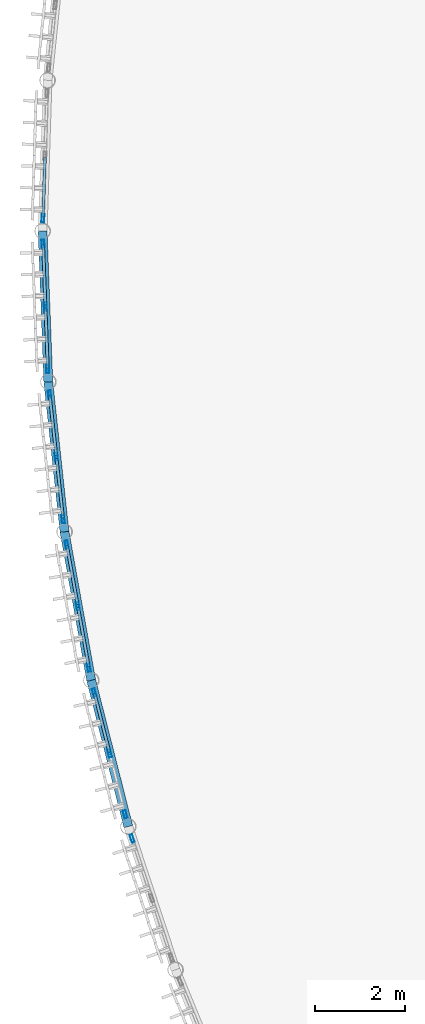
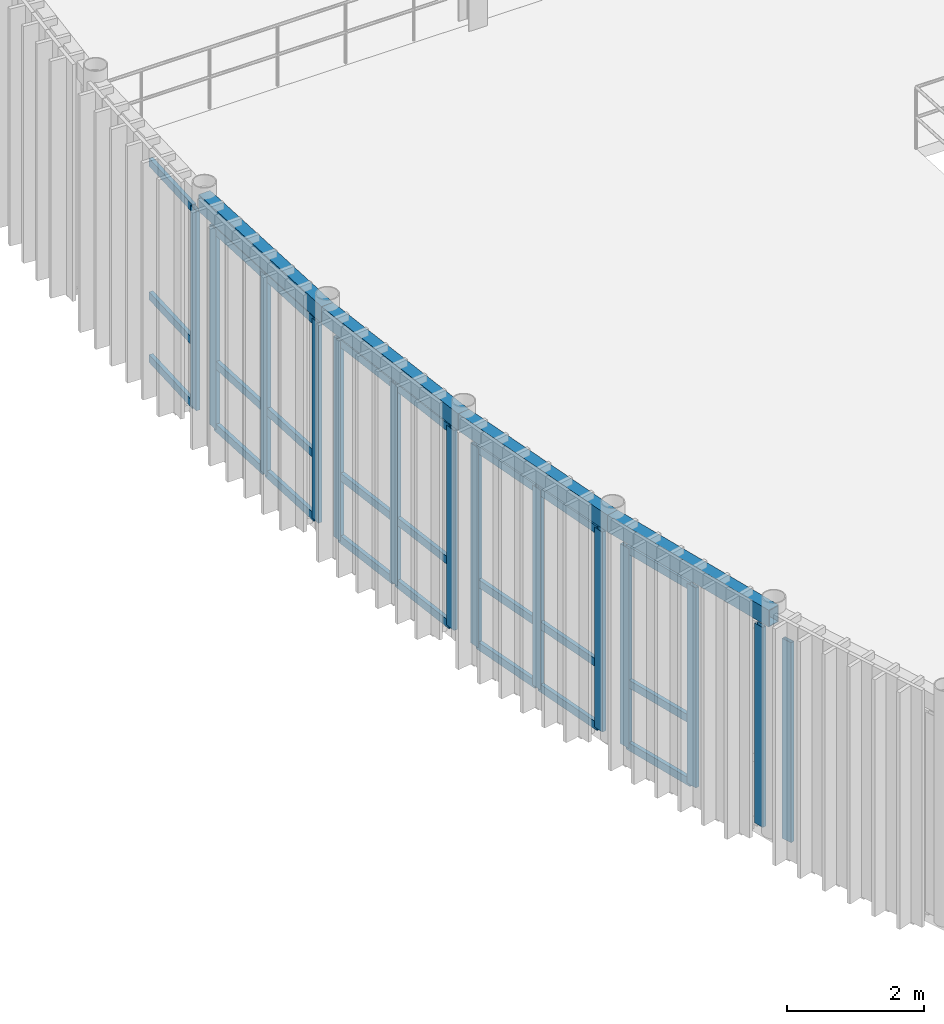
# One storey, part 15 of 32: 38 members, 4 beams, 6 elements without a shape of their own.
"""IFC4 building model written with IfcOpenShell, lengths in metres."""

from ifc_helpers import new_model, si_unit, direction, frame, origin, origin_2d, place, context, subcontext, project, spatial, hollow_rectangle, extrude, material, layer, layer_set, material_profile, profile_set, type_object, element, aggregate, save


model = new_model("IFC4")

# Units and contexts
model_context = context("Model", 3, precision=1e-05, world=origin(), true_north=direction((0.0, 1.0)))
body_context = subcontext(model_context, "Body", "Model", "MODEL_VIEW")
ifc_project = project(units=[si_unit("LENGTHUNIT", "METRE"), si_unit("AREAUNIT", "SQUARE_METRE"), si_unit("VOLUMEUNIT", "CUBIC_METRE"), si_unit("PLANEANGLEUNIT", "RADIAN"), si_unit("MASSUNIT", "GRAM", prefix="KILO")], contexts=[model_context])

# Site, building, storey
site_placement = place(None, origin())
site = spatial("IfcSite", under=ifc_project, at=site_placement, CompositionType="ELEMENT")
building_placement = place(site_placement, origin())
building = spatial("IfcBuilding", under=site, at=building_placement, Name="Selat Folded Stagehouse", CompositionType="ELEMENT")
storey_placement = place(building_placement, frame((0.0, 0.0, 19.199951171875)))
storey = spatial("IfcBuildingStorey", under=building, at=storey_placement, Name="L04", CompositionType="ELEMENT", Elevation=19.199951171875)

# Curtain wall, member
ifc_material_1 = material(Name="Aluminium 6063-T6", Category="aluminium")
ifc_layer = layer(ifc_material_1, 0.18505859375)
ifc_layer_set = layer_set([ifc_layer], Name="Aluminium 6063-T6")
curtain_wall_type = type_object("IfcCurtainWallType", Name="CW-DRM-UPPER", PredefinedType="NOTDEFINED", material=ifc_layer_set)
curtain_wall_1_placement = place(storey_placement, origin())
curtain_wall_1 = element("IfcCurtainWall", 1, at=curtain_wall_1_placement, inside=storey, type_object=curtain_wall_type, Name="L04 curtain wall CW-DRM-L04-01", PredefinedType="NOTDEFINED")
ifc_material_profile_1 = material_profile(ifc_material_1, hollow_rectangle(XDim=0.06494140625, YDim=0.179931640625, WallThickness=0.00390625, at=origin_2d()), Name="ALU 180x65x4.0")
ifc_profile_set_1 = profile_set([ifc_material_profile_1], Name="Aluminium 6063-T6")
member_type_1 = type_object("IfcMemberType", Name="CWM-MUL-180x65", PredefinedType="MULLION", material=ifc_profile_set_1)
member_1_placement = place(storey_placement, frame((0.00927734375, 48.1640625, 0.0), z_axis=(0.0, 0.0, 1.0), x_axis=(-0.999467648801, 0.032625434862, 0.0)))
member_1 = element("IfcMember", 2, at=member_1_placement, type_object=member_type_1, Name="CW-03 mullion 1", PredefinedType="MULLION", context=body_context, shape_type="SweptSolid", body=[
    extrude(hollow_rectangle(XDim=0.06494140625, YDim=0.179931640625, WallThickness=0.00390625, at=origin_2d()), origin(), (0.0, 0.0, 1.0), 3.56005859375),
])

# Curtain wall, members
curtain_wall_2_placement = place(storey_placement, origin())
curtain_wall_2 = element("IfcCurtainWall", 3, at=curtain_wall_2_placement, inside=storey, type_object=curtain_wall_type, Name="L04 curtain wall CW-DRM-L04-02", PredefinedType="NOTDEFINED")
member_2_placement = place(storey_placement, frame((0.115966796875, 44.79736328125, 0.0), z_axis=(0.0, 0.0, 1.0), x_axis=(-0.999293858167, -0.037573727908, 0.0)))
member_2 = element("IfcMember", 4, at=member_2_placement, type_object=member_type_1, Name="CW-03 mullion 1", PredefinedType="MULLION", context=body_context, shape_type="SweptSolid", body=[
    extrude(hollow_rectangle(XDim=0.06494140625, YDim=0.179931640625, WallThickness=0.00390625, at=origin_2d()), origin(), (0.0, 0.0, 1.0), 3.56005859375),
])
member_3_placement = place(storey_placement, frame((0.0634765625, 46.1982421875, 0.0), z_axis=(0.0, 0.0, 1.0), x_axis=(-0.999293858167, -0.037573727908, 0.0)))
member_3 = element("IfcMember", 5, at=member_3_placement, type_object=member_type_1, Name="CW-03 mullion 2", PredefinedType="MULLION", context=body_context, shape_type="SweptSolid", body=[
    extrude(hollow_rectangle(XDim=0.06494140625, YDim=0.179931640625, WallThickness=0.00390625, at=origin_2d()), origin(), (0.0, 0.0, 1.0), 3.56005859375),
])
member_4_placement = place(storey_placement, frame((0.0107421875, 47.599365234375, 0.0), z_axis=(0.0, 0.0, 1.0), x_axis=(-0.999293858167, -0.037573727908, 0.0)))
member_4 = element("IfcMember", 6, at=member_4_placement, type_object=member_type_1, Name="CW-03 mullion 3", PredefinedType="MULLION", context=body_context, shape_type="SweptSolid", body=[
    extrude(hollow_rectangle(XDim=0.06494140625, YDim=0.179931640625, WallThickness=0.00390625, at=origin_2d()), origin(), (0.0, 0.0, 1.0), 3.56005859375),
])

curtain_wall_3_placement = place(storey_placement, origin())
curtain_wall_3 = element("IfcCurtainWall", 7, at=curtain_wall_3_placement, inside=storey, type_object=curtain_wall_type, Name="L04 curtain wall CW-DRM-L04-03", PredefinedType="NOTDEFINED")
member_5_placement = place(storey_placement, frame((0.458740234375, 41.4462890625, 0.0), z_axis=(0.0, 0.0, 1.0), x_axis=(-0.994198790497, -0.107558193428, 0.0)))
member_5 = element("IfcMember", 8, at=member_5_placement, type_object=member_type_1, Name="CW-03 mullion 1", PredefinedType="MULLION", context=body_context, shape_type="SweptSolid", body=[
    extrude(hollow_rectangle(XDim=0.06494140625, YDim=0.179931640625, WallThickness=0.00390625, at=origin_2d()), origin(), (0.0, 0.0, 1.0), 3.56005859375),
])
member_6_placement = place(storey_placement, frame((0.307861328125, 42.84033203125, 0.0), z_axis=(0.0, 0.0, 1.0), x_axis=(-0.994198790497, -0.107558193428, 0.0)))
member_6 = element("IfcMember", 9, at=member_6_placement, type_object=member_type_1, Name="CW-03 mullion 2", PredefinedType="MULLION", context=body_context, shape_type="SweptSolid", body=[
    extrude(hollow_rectangle(XDim=0.06494140625, YDim=0.179931640625, WallThickness=0.00390625, at=origin_2d()), origin(), (0.0, 0.0, 1.0), 3.56005859375),
])
member_7_placement = place(storey_placement, frame((0.156982421875, 44.234130859375, 0.0), z_axis=(0.0, 0.0, 1.0), x_axis=(-0.994198790497, -0.107558193428, 0.0)))
member_7 = element("IfcMember", 10, at=member_7_placement, type_object=member_type_1, Name="CW-03 mullion 3", PredefinedType="MULLION", context=body_context, shape_type="SweptSolid", body=[
    extrude(hollow_rectangle(XDim=0.06494140625, YDim=0.179931640625, WallThickness=0.00390625, at=origin_2d()), origin(), (0.0, 0.0, 1.0), 3.56005859375),
])

curtain_wall_4_placement = place(storey_placement, origin())
curtain_wall_4 = element("IfcCurtainWall", 11, at=curtain_wall_4_placement, inside=storey, type_object=curtain_wall_type, Name="L04 curtain wall CW-DRM-L04-04", PredefinedType="NOTDEFINED")
member_8_placement = place(storey_placement, frame((1.035400390625, 38.127685546875, 0.0), z_axis=(0.0, 0.0, 1.0), x_axis=(-0.984210538572, -0.177001739435, 0.0)))
member_8 = element("IfcMember", 12, at=member_8_placement, type_object=member_type_1, Name="CW-03 mullion 1", PredefinedType="MULLION", context=body_context, shape_type="SweptSolid", body=[
    extrude(hollow_rectangle(XDim=0.06494140625, YDim=0.179931640625, WallThickness=0.00390625, at=origin_2d()), origin(), (0.0, 0.0, 1.0), 3.56005859375),
])
member_9_placement = place(storey_placement, frame((0.787353515625, 39.507568359375, 0.0), z_axis=(0.0, 0.0, 1.0), x_axis=(-0.984210538572, -0.177001739435, 0.0)))
member_9 = element("IfcMember", 13, at=member_9_placement, type_object=member_type_1, Name="CW-03 mullion 2", PredefinedType="MULLION", context=body_context, shape_type="SweptSolid", body=[
    extrude(hollow_rectangle(XDim=0.06494140625, YDim=0.179931640625, WallThickness=0.00390625, at=origin_2d()), origin(), (0.0, 0.0, 1.0), 3.56005859375),
])
member_10_placement = place(storey_placement, frame((0.5390625, 40.887451171875, 0.0), z_axis=(0.0, 0.0, 1.0), x_axis=(-0.984210538572, -0.177001739435, 0.0)))
member_10 = element("IfcMember", 14, at=member_10_placement, type_object=member_type_1, Name="CW-03 mullion 3", PredefinedType="MULLION", context=body_context, shape_type="SweptSolid", body=[
    extrude(hollow_rectangle(XDim=0.06494140625, YDim=0.179931640625, WallThickness=0.00390625, at=origin_2d()), origin(), (0.0, 0.0, 1.0), 3.56005859375),
])

curtain_wall_5_placement = place(storey_placement, origin())
curtain_wall_5 = element("IfcCurtainWall", 15, at=curtain_wall_5_placement, inside=storey, type_object=curtain_wall_type, Name="L04 curtain wall CW-DRM-L04-05", PredefinedType="NOTDEFINED")
member_11_placement = place(storey_placement, frame((1.843505859375, 34.857666015625, 0.0), z_axis=(0.0, 0.0, 1.0), x_axis=(-0.969366705351, -0.24561797686, 0.0)))
member_11 = element("IfcMember", 16, at=member_11_placement, type_object=member_type_1, Name="CW-03 mullion 1", PredefinedType="MULLION", context=body_context, shape_type="SweptSolid", body=[
    extrude(hollow_rectangle(XDim=0.06494140625, YDim=0.179931640625, WallThickness=0.00390625, at=origin_2d()), origin(), (0.0, 0.0, 1.0), 3.56005859375),
])
member_12_placement = place(storey_placement, frame((1.499267578125, 36.216796875, 0.0), z_axis=(0.0, 0.0, 1.0), x_axis=(-0.969366705351, -0.24561797686, 0.0)))
member_12 = element("IfcMember", 17, at=member_12_placement, type_object=member_type_1, Name="CW-03 mullion 2", PredefinedType="MULLION", context=body_context, shape_type="SweptSolid", body=[
    extrude(hollow_rectangle(XDim=0.06494140625, YDim=0.179931640625, WallThickness=0.00390625, at=origin_2d()), origin(), (0.0, 0.0, 1.0), 3.56005859375),
])
member_13_placement = place(storey_placement, frame((1.15478515625, 37.575927734375, 0.0), z_axis=(0.0, 0.0, 1.0), x_axis=(-0.969366705351, -0.24561797686, 0.0)))
member_13 = element("IfcMember", 18, at=member_13_placement, type_object=member_type_1, Name="CW-03 mullion 3", PredefinedType="MULLION", context=body_context, shape_type="SweptSolid", body=[
    extrude(hollow_rectangle(XDim=0.06494140625, YDim=0.179931640625, WallThickness=0.00390625, at=origin_2d()), origin(), (0.0, 0.0, 1.0), 3.56005859375),
])

# Curtain wall, member
curtain_wall_6_placement = place(storey_placement, origin())
curtain_wall_6 = element("IfcCurtainWall", 19, at=curtain_wall_6_placement, inside=storey, type_object=curtain_wall_type, Name="L04 curtain wall CW-DRM-L04-06", PredefinedType="NOTDEFINED")
member_14_placement = place(storey_placement, frame((2.00146484375, 34.315673828125, 0.0), z_axis=(0.0, 0.0, 1.0), x_axis=(-0.949754805107, -0.312994904395, 0.0)))
member_14 = element("IfcMember", 20, at=member_14_placement, type_object=member_type_1, Name="CW-03 mullion 3", PredefinedType="MULLION", context=body_context, shape_type="SweptSolid", body=[
    extrude(hollow_rectangle(XDim=0.06494140625, YDim=0.179931640625, WallThickness=0.00390625, at=origin_2d()), origin(), (0.0, 0.0, 1.0), 3.56005859375),
])
aggregate(curtain_wall_6, [member_14])

# Member
ifc_material_profile_2 = material_profile(ifc_material_1, hollow_rectangle(XDim=0.06494140625, YDim=0.139892578125, WallThickness=0.00390625, at=origin_2d()), Name="ALU 140x65x4.0")
ifc_profile_set_2 = profile_set([ifc_material_profile_2], Name="Aluminium 6063-T6")
member_type_2 = type_object("IfcMemberType", Name="CWM-TRN-140x65", PredefinedType="USERDEFINED", material=ifc_profile_set_2)
member_15_placement = place(storey_placement, frame((0.010498046875, 48.196533203125, 0.032470703125), z_axis=(0.032506108816, 0.999471536808, 0.0), x_axis=(-0.999471536808, 0.032506108816, 0.0)))
member_15 = element("IfcMember", 21, at=member_15_placement, type_object=member_type_2, Name="CW-03 transom 1.1", ObjectType="TRANSOM", PredefinedType="USERDEFINED", context=body_context, shape_type="SweptSolid", body=[
    extrude(hollow_rectangle(XDim=0.06494140625, YDim=0.139892578125, WallThickness=0.00390625, at=origin_2d()), origin(), (0.0, 0.0, 1.0), 1.3369140625),
])

member_16_placement = place(storey_placement, frame((0.010498046875, 48.196533203125, 1.150146484375), z_axis=(0.032506108816, 0.999471536808, 0.0), x_axis=(-0.999471536808, 0.032506108816, 0.0)))
member_16 = element("IfcMember", 22, at=member_16_placement, type_object=member_type_2, Name="CW-03 transom 1.2", ObjectType="TRANSOM", PredefinedType="USERDEFINED", context=body_context, shape_type="SweptSolid", body=[
    extrude(hollow_rectangle(XDim=0.06494140625, YDim=0.139892578125, WallThickness=0.00390625, at=origin_2d()), origin(), (0.0, 0.0, 1.0), 1.3369140625),
])

member_17_placement = place(storey_placement, frame((0.010498046875, 48.196533203125, 3.527587890625), z_axis=(0.032506108816, 0.999471536808, 0.0), x_axis=(-0.999471536808, 0.032506108816, 0.0)))
member_17 = element("IfcMember", 23, at=member_17_placement, type_object=member_type_2, Name="CW-03 transom 1.3", ObjectType="TRANSOM", PredefinedType="USERDEFINED", context=body_context, shape_type="SweptSolid", body=[
    extrude(hollow_rectangle(XDim=0.06494140625, YDim=0.139892578125, WallThickness=0.00390625, at=origin_2d()), origin(), (0.0, 0.0, 1.0), 1.3369140625),
])

aggregate(curtain_wall_1, [member_1, member_15, member_16, member_17])

member_18_placement = place(storey_placement, frame((0.11474609375, 44.829833984375, 0.032470703125), z_axis=(-0.037437187768, 0.999298982773, 0.0), x_axis=(-0.999298982773, -0.037437187768, 0.0)))
member_18 = element("IfcMember", 24, at=member_18_placement, type_object=member_type_2, Name="CW-03 transom 1.1", ObjectType="TRANSOM", PredefinedType="USERDEFINED", context=body_context, shape_type="SweptSolid", body=[
    extrude(hollow_rectangle(XDim=0.06494140625, YDim=0.139892578125, WallThickness=0.00390625, at=origin_2d()), origin(), (0.0, 0.0, 1.0), 1.3369140625),
])

member_19_placement = place(storey_placement, frame((0.11474609375, 44.829833984375, 1.150146484375), z_axis=(-0.037437187768, 0.999298982773, 0.0), x_axis=(-0.999298982773, -0.037437187768, 0.0)))
member_19 = element("IfcMember", 25, at=member_19_placement, type_object=member_type_2, Name="CW-03 transom 1.2", ObjectType="TRANSOM", PredefinedType="USERDEFINED", context=body_context, shape_type="SweptSolid", body=[
    extrude(hollow_rectangle(XDim=0.06494140625, YDim=0.139892578125, WallThickness=0.00390625, at=origin_2d()), origin(), (0.0, 0.0, 1.0), 1.3369140625),
])

member_20_placement = place(storey_placement, frame((0.11474609375, 44.829833984375, 3.527587890625), z_axis=(-0.037437187768, 0.999298982773, 0.0), x_axis=(-0.999298982773, -0.037437187768, 0.0)))
member_20 = element("IfcMember", 26, at=member_20_placement, type_object=member_type_2, Name="CW-03 transom 1.3", ObjectType="TRANSOM", PredefinedType="USERDEFINED", context=body_context, shape_type="SweptSolid", body=[
    extrude(hollow_rectangle(XDim=0.06494140625, YDim=0.139892578125, WallThickness=0.00390625, at=origin_2d()), origin(), (0.0, 0.0, 1.0), 1.3369140625),
])

member_21_placement = place(storey_placement, frame((0.062255859375, 46.230712890625, 0.032470703125), z_axis=(-0.037612686436, 0.999292392555, 0.0), x_axis=(-0.999292392555, -0.037612686436, 0.0)))
member_21 = element("IfcMember", 27, at=member_21_placement, type_object=member_type_2, Name="CW-03 transom 2.1", ObjectType="TRANSOM", PredefinedType="USERDEFINED", context=body_context, shape_type="SweptSolid", body=[
    extrude(hollow_rectangle(XDim=0.06494140625, YDim=0.139892578125, WallThickness=0.00390625, at=origin_2d()), origin(), (0.0, 0.0, 1.0), 1.337158203125),
])

member_22_placement = place(storey_placement, frame((0.062255859375, 46.230712890625, 1.150146484375), z_axis=(-0.037612686436, 0.999292392555, 0.0), x_axis=(-0.999292392555, -0.037612686436, 0.0)))
member_22 = element("IfcMember", 28, at=member_22_placement, type_object=member_type_2, Name="CW-03 transom 2.2", ObjectType="TRANSOM", PredefinedType="USERDEFINED", context=body_context, shape_type="SweptSolid", body=[
    extrude(hollow_rectangle(XDim=0.06494140625, YDim=0.139892578125, WallThickness=0.00390625, at=origin_2d()), origin(), (0.0, 0.0, 1.0), 1.337158203125),
])

member_23_placement = place(storey_placement, frame((0.062255859375, 46.230712890625, 3.527587890625), z_axis=(-0.037612686436, 0.999292392555, 0.0), x_axis=(-0.999292392555, -0.037612686436, 0.0)))
member_23 = element("IfcMember", 29, at=member_23_placement, type_object=member_type_2, Name="CW-03 transom 2.3", ObjectType="TRANSOM", PredefinedType="USERDEFINED", context=body_context, shape_type="SweptSolid", body=[
    extrude(hollow_rectangle(XDim=0.06494140625, YDim=0.139892578125, WallThickness=0.00390625, at=origin_2d()), origin(), (0.0, 0.0, 1.0), 1.337158203125),
])

aggregate(curtain_wall_2, [member_2, member_3, member_4, member_18, member_19, member_20, member_21, member_22, member_23])

member_24_placement = place(storey_placement, frame((0.455322265625, 41.478515625, 0.032470703125), z_axis=(-0.107725727154, 0.994180651446, 0.0), x_axis=(-0.994180651446, -0.107725727154, 0.0)))
member_24 = element("IfcMember", 30, at=member_24_placement, type_object=member_type_2, Name="CW-03 transom 1.1", ObjectType="TRANSOM", PredefinedType="USERDEFINED", context=body_context, shape_type="SweptSolid", body=[
    extrude(hollow_rectangle(XDim=0.06494140625, YDim=0.139892578125, WallThickness=0.00390625, at=origin_2d()), origin(), (0.0, 0.0, 1.0), 1.337158203125),
])

member_25_placement = place(storey_placement, frame((0.455322265625, 41.478515625, 1.150146484375), z_axis=(-0.107725727154, 0.994180651446, 0.0), x_axis=(-0.994180651446, -0.107725727154, 0.0)))
member_25 = element("IfcMember", 31, at=member_25_placement, type_object=member_type_2, Name="CW-03 transom 1.2", ObjectType="TRANSOM", PredefinedType="USERDEFINED", context=body_context, shape_type="SweptSolid", body=[
    extrude(hollow_rectangle(XDim=0.06494140625, YDim=0.139892578125, WallThickness=0.00390625, at=origin_2d()), origin(), (0.0, 0.0, 1.0), 1.337158203125),
])

member_26_placement = place(storey_placement, frame((0.455322265625, 41.478515625, 3.527587890625), z_axis=(-0.107725727154, 0.994180651446, 0.0), x_axis=(-0.994180651446, -0.107725727154, 0.0)))
member_26 = element("IfcMember", 32, at=member_26_placement, type_object=member_type_2, Name="CW-03 transom 1.3", ObjectType="TRANSOM", PredefinedType="USERDEFINED", context=body_context, shape_type="SweptSolid", body=[
    extrude(hollow_rectangle(XDim=0.06494140625, YDim=0.139892578125, WallThickness=0.00390625, at=origin_2d()), origin(), (0.0, 0.0, 1.0), 1.337158203125),
])

member_27_placement = place(storey_placement, frame((0.304443359375, 42.87255859375, 0.032470703125), z_axis=(-0.107545254734, 0.994200190195, 0.0), x_axis=(-0.994200190195, -0.107545254734, 0.0)))
member_27 = element("IfcMember", 33, at=member_27_placement, type_object=member_type_2, Name="CW-03 transom 2.1", ObjectType="TRANSOM", PredefinedType="USERDEFINED", context=body_context, shape_type="SweptSolid", body=[
    extrude(hollow_rectangle(XDim=0.06494140625, YDim=0.139892578125, WallThickness=0.00390625, at=origin_2d()), origin(), (0.0, 0.0, 1.0), 1.337158203125),
])

member_28_placement = place(storey_placement, frame((0.304443359375, 42.87255859375, 1.150146484375), z_axis=(-0.107545254734, 0.994200190195, 0.0), x_axis=(-0.994200190195, -0.107545254734, 0.0)))
member_28 = element("IfcMember", 34, at=member_28_placement, type_object=member_type_2, Name="CW-03 transom 2.2", ObjectType="TRANSOM", PredefinedType="USERDEFINED", context=body_context, shape_type="SweptSolid", body=[
    extrude(hollow_rectangle(XDim=0.06494140625, YDim=0.139892578125, WallThickness=0.00390625, at=origin_2d()), origin(), (0.0, 0.0, 1.0), 1.337158203125),
])

member_29_placement = place(storey_placement, frame((0.304443359375, 42.87255859375, 3.527587890625), z_axis=(-0.107545254734, 0.994200190195, 0.0), x_axis=(-0.994200190195, -0.107545254734, 0.0)))
member_29 = element("IfcMember", 35, at=member_29_placement, type_object=member_type_2, Name="CW-03 transom 2.3", ObjectType="TRANSOM", PredefinedType="USERDEFINED", context=body_context, shape_type="SweptSolid", body=[
    extrude(hollow_rectangle(XDim=0.06494140625, YDim=0.139892578125, WallThickness=0.00390625, at=origin_2d()), origin(), (0.0, 0.0, 1.0), 1.337158203125),
])

aggregate(curtain_wall_3, [member_5, member_6, member_7, member_24, member_25, member_26, member_27, member_28, member_29])

member_30_placement = place(storey_placement, frame((1.02978515625, 38.15966796875, 0.032470703125), z_axis=(-0.177117625188, 0.98418969048, 0.0), x_axis=(-0.98418969048, -0.177117625188, 0.0)))
member_30 = element("IfcMember", 36, at=member_30_placement, type_object=member_type_2, Name="CW-03 transom 1.1", ObjectType="TRANSOM", PredefinedType="USERDEFINED", context=body_context, shape_type="SweptSolid", body=[
    extrude(hollow_rectangle(XDim=0.06494140625, YDim=0.139892578125, WallThickness=0.00390625, at=origin_2d()), origin(), (0.0, 0.0, 1.0), 1.337158203125),
])

member_31_placement = place(storey_placement, frame((1.02978515625, 38.15966796875, 1.150146484375), z_axis=(-0.177117625188, 0.98418969048, 0.0), x_axis=(-0.98418969048, -0.177117625188, 0.0)))
member_31 = element("IfcMember", 37, at=member_31_placement, type_object=member_type_2, Name="CW-03 transom 1.2", ObjectType="TRANSOM", PredefinedType="USERDEFINED", context=body_context, shape_type="SweptSolid", body=[
    extrude(hollow_rectangle(XDim=0.06494140625, YDim=0.139892578125, WallThickness=0.00390625, at=origin_2d()), origin(), (0.0, 0.0, 1.0), 1.337158203125),
])

member_32_placement = place(storey_placement, frame((1.02978515625, 38.15966796875, 3.527587890625), z_axis=(-0.177117625188, 0.98418969048, 0.0), x_axis=(-0.98418969048, -0.177117625188, 0.0)))
member_32 = element("IfcMember", 38, at=member_32_placement, type_object=member_type_2, Name="CW-03 transom 1.3", ObjectType="TRANSOM", PredefinedType="USERDEFINED", context=body_context, shape_type="SweptSolid", body=[
    extrude(hollow_rectangle(XDim=0.06494140625, YDim=0.139892578125, WallThickness=0.00390625, at=origin_2d()), origin(), (0.0, 0.0, 1.0), 1.337158203125),
])

member_33_placement = place(storey_placement, frame((0.781494140625, 39.53955078125, 0.032470703125), z_axis=(-0.176940749261, 0.984221505176, 0.0), x_axis=(-0.984221505176, -0.176940749261, 0.0)))
member_33 = element("IfcMember", 39, at=member_33_placement, type_object=member_type_2, Name="CW-03 transom 2.1", ObjectType="TRANSOM", PredefinedType="USERDEFINED", context=body_context, shape_type="SweptSolid", body=[
    extrude(hollow_rectangle(XDim=0.06494140625, YDim=0.139892578125, WallThickness=0.00390625, at=origin_2d()), origin(), (0.0, 0.0, 1.0), 1.3369140625),
])

member_34_placement = place(storey_placement, frame((0.781494140625, 39.53955078125, 1.150146484375), z_axis=(-0.176940749261, 0.984221505176, 0.0), x_axis=(-0.984221505176, -0.176940749261, 0.0)))
member_34 = element("IfcMember", 40, at=member_34_placement, type_object=member_type_2, Name="CW-03 transom 2.2", ObjectType="TRANSOM", PredefinedType="USERDEFINED", context=body_context, shape_type="SweptSolid", body=[
    extrude(hollow_rectangle(XDim=0.06494140625, YDim=0.139892578125, WallThickness=0.00390625, at=origin_2d()), origin(), (0.0, 0.0, 1.0), 1.3369140625),
])

member_35_placement = place(storey_placement, frame((0.781494140625, 39.53955078125, 3.527587890625), z_axis=(-0.176940749261, 0.984221505176, 0.0), x_axis=(-0.984221505176, -0.176940749261, 0.0)))
member_35 = element("IfcMember", 41, at=member_35_placement, type_object=member_type_2, Name="CW-03 transom 2.3", ObjectType="TRANSOM", PredefinedType="USERDEFINED", context=body_context, shape_type="SweptSolid", body=[
    extrude(hollow_rectangle(XDim=0.06494140625, YDim=0.139892578125, WallThickness=0.00390625, at=origin_2d()), origin(), (0.0, 0.0, 1.0), 1.3369140625),
])

aggregate(curtain_wall_4, [member_8, member_9, member_10, member_30, member_31, member_32, member_33, member_34, member_35])

member_36_placement = place(storey_placement, frame((1.4912109375, 36.248291015625, 0.032470703125), z_axis=(-0.245584768356, 0.969375119111, 0.0), x_axis=(-0.969375119111, -0.245584768356, 0.0)))
member_36 = element("IfcMember", 42, at=member_36_placement, type_object=member_type_2, Name="CW-03 transom 2.1", ObjectType="TRANSOM", PredefinedType="USERDEFINED", context=body_context, shape_type="SweptSolid", body=[
    extrude(hollow_rectangle(XDim=0.06494140625, YDim=0.139892578125, WallThickness=0.00390625, at=origin_2d()), origin(), (0.0, 0.0, 1.0), 1.337158203125),
])

member_37_placement = place(storey_placement, frame((1.4912109375, 36.248291015625, 1.150146484375), z_axis=(-0.245584768356, 0.969375119111, 0.0), x_axis=(-0.969375119111, -0.245584768356, 0.0)))
member_37 = element("IfcMember", 43, at=member_37_placement, type_object=member_type_2, Name="CW-03 transom 2.2", ObjectType="TRANSOM", PredefinedType="USERDEFINED", context=body_context, shape_type="SweptSolid", body=[
    extrude(hollow_rectangle(XDim=0.06494140625, YDim=0.139892578125, WallThickness=0.00390625, at=origin_2d()), origin(), (0.0, 0.0, 1.0), 1.337158203125),
])

member_38_placement = place(storey_placement, frame((1.4912109375, 36.248291015625, 3.527587890625), z_axis=(-0.245584768356, 0.969375119111, 0.0), x_axis=(-0.969375119111, -0.245584768356, 0.0)))
member_38 = element("IfcMember", 44, at=member_38_placement, type_object=member_type_2, Name="CW-03 transom 2.3", ObjectType="TRANSOM", PredefinedType="USERDEFINED", context=body_context, shape_type="SweptSolid", body=[
    extrude(hollow_rectangle(XDim=0.06494140625, YDim=0.139892578125, WallThickness=0.00390625, at=origin_2d()), origin(), (0.0, 0.0, 1.0), 1.337158203125),
])

aggregate(curtain_wall_5, [member_11, member_12, member_13, member_36, member_37, member_38])

# Beams
ifc_material_2 = material(Name="Steel S355", Category="steel")
ifc_material_profile_3 = material_profile(ifc_material_2, hollow_rectangle(XDim=0.199951171875, YDim=0.300048828125, WallThickness=0.012451171875, at=origin_2d()), Name="RHS 300x200x12.5")
ifc_profile_set_3 = profile_set([ifc_material_profile_3], Name="Steel S355")
beam_type = type_object("IfcBeamType", Name="SPD-RHS-300x200", PredefinedType="SPANDREL", material=ifc_profile_set_3)
beam_1_placement = place(storey_placement, frame((0.0, 47.881591796875, 3.85009765625), z_axis=(0.03760934134, -0.999292518457, 0.0), x_axis=(0.999292518457, 0.03760934134, 0.0)))
element("IfcBeam", 45, at=beam_1_placement, inside=storey, type_object=beam_type, Name="L04 curved drum spandrel beam 3", PredefinedType="SPANDREL", context=body_context, shape_type="SweptSolid", body=[
    extrude(hollow_rectangle(XDim=0.199951171875, YDim=0.300048828125, WallThickness=0.012451171875, at=origin_2d()), origin(), (0.0, 0.0, 1.0), 3.369140625),
])
beam_2_placement = place(storey_placement, frame((0.126708984375, 44.514892578125, 3.85009765625), z_axis=(0.107543794494, -0.994200348152, 0.0), x_axis=(0.994200348152, 0.107543794494, 0.0)))
element("IfcBeam", 46, at=beam_2_placement, inside=storey, type_object=beam_type, Name="L04 curved drum spandrel beam 4", PredefinedType="SPANDREL", context=body_context, shape_type="SweptSolid", body=[
    extrude(hollow_rectangle(XDim=0.199951171875, YDim=0.300048828125, WallThickness=0.012451171875, at=origin_2d()), origin(), (0.0, 0.0, 1.0), 3.368896484375),
])
beam_3_placement = place(storey_placement, frame((0.489013671875, 41.16552734375, 3.85009765625), z_axis=(0.177029462848, -0.984205552354, 0.0), x_axis=(0.984205552354, 0.177029462848, 0.0)))
element("IfcBeam", 47, at=beam_3_placement, inside=storey, type_object=beam_type, Name="L04 curved drum spandrel beam 5", PredefinedType="SPANDREL", context=body_context, shape_type="SweptSolid", body=[
    extrude(hollow_rectangle(XDim=0.199951171875, YDim=0.300048828125, WallThickness=0.012451171875, at=origin_2d()), origin(), (0.0, 0.0, 1.0), 3.369140625),
])
beam_4_placement = place(storey_placement, frame((1.08544921875, 37.849609375, 3.85009765625), z_axis=(0.245671863024, -0.96935305009, 0.0), x_axis=(0.96935305009, 0.245671863024, 0.0)))
element("IfcBeam", 48, at=beam_4_placement, inside=storey, type_object=beam_type, Name="L04 curved drum spandrel beam 6", PredefinedType="SPANDREL", context=body_context, shape_type="SweptSolid", body=[
    extrude(hollow_rectangle(XDim=0.199951171875, YDim=0.300048828125, WallThickness=0.012451171875, at=origin_2d()), origin(), (0.0, 0.0, 1.0), 3.368896484375),
])

save(model, "model.ifc")
